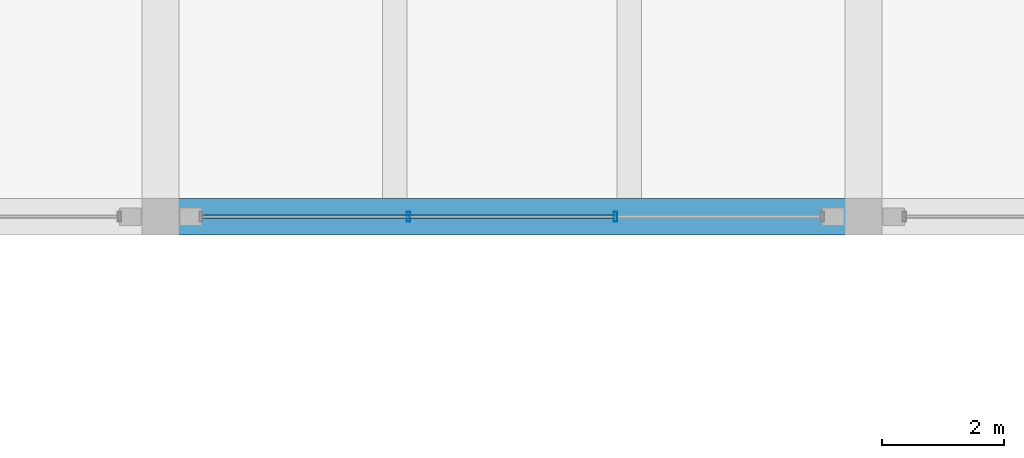
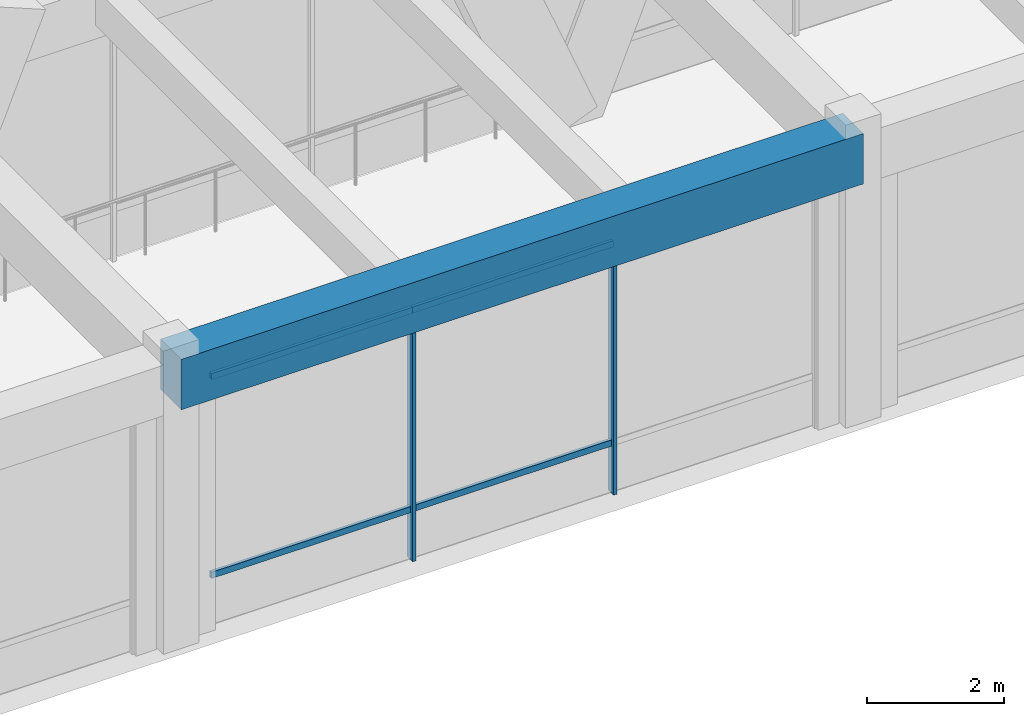
# One storey, part 11 of 148: 6 members, 1 beam, 1 element without a shape of its own.
"""IFC4 building model written with IfcOpenShell, lengths in metres."""

from ifc_helpers import new_model, si_unit, direction, frame, origin, origin_2d, place, context, subcontext, project, spatial, rectangle, hollow_rectangle, extrude, material, material_profile, profile_set, type_object, element, aggregate, save


model = new_model("IFC4")

# Units and contexts
model_context = context("Model", 3, precision=1e-05, world=origin(), true_north=direction((0.0, 1.0)))
body_context = subcontext(model_context, "Body", "Model", "MODEL_VIEW")
ifc_project = project(units=[si_unit("LENGTHUNIT", "METRE"), si_unit("AREAUNIT", "SQUARE_METRE"), si_unit("VOLUMEUNIT", "CUBIC_METRE"), si_unit("PLANEANGLEUNIT", "RADIAN"), si_unit("MASSUNIT", "GRAM", prefix="KILO")], contexts=[model_context])

# Site, building, storey
site_placement = place(None, origin())
site = spatial("IfcSite", under=ifc_project, at=site_placement, CompositionType="ELEMENT")
building_placement = place(site_placement, origin())
building = spatial("IfcBuilding", under=site, at=building_placement, Name="Ologun Quay Terminus", CompositionType="ELEMENT")
storey_placement = place(building_placement, frame((0.0, 0.0, 8.39990234375)))
storey = spatial("IfcBuildingStorey", under=building, at=storey_placement, Name="L02", CompositionType="ELEMENT", Elevation=8.39990234375)

# Curtain wall, members
ifc_material_1 = material(Name="Aluminium 6063-T6", Category="aluminium")
curtain_wall_type = type_object("IfcCurtainWallType", Name="Concourse Departure Curtain Wall 10700x4950", PredefinedType="USERDEFINED", material=ifc_material_1)
curtain_wall_placement = place(storey_placement, origin())
curtain_wall = element("IfcCurtainWall", 1, at=curtain_wall_placement, inside=storey, type_object=curtain_wall_type, Name="CW-05 Curtain Wall CW-L02-021", ObjectType="UNITISED CURTAIN WALL", PredefinedType="USERDEFINED")
ifc_material_2 = material(Name="Aluminium 6063-T6", Category="aluminium")
ifc_material_profile_1 = material_profile(ifc_material_2, hollow_rectangle(XDim=0.06005859375, YDim=0.159912109375, WallThickness=0.00390625, at=origin_2d()), Name="ALU 160x60x4")
ifc_profile_set_1 = profile_set([ifc_material_profile_1], Name="Aluminium 6063-T6")
member_type_1 = type_object("IfcMemberType", Name="Curtain Wall Standard Mullion 160x65", PredefinedType="MULLION", material=ifc_profile_set_1)
member_1_placement = place(storey_placement, frame((27.056640625, 27.199951171875, 0.0), z_axis=(0.0, 0.0, 1.0), x_axis=(1.0, 0.0, 0.0)))
member_1 = element("IfcMember", 2, at=member_1_placement, type_object=member_type_1, Name="CW-L02-021 Mullion 2", PredefinedType="MULLION", context=body_context, shape_type="SweptSolid", body=[
    extrude(hollow_rectangle(XDim=0.06005859375, YDim=0.159912109375, WallThickness=0.00390625, at=origin_2d()), origin(), (0.0, 0.0, 1.0), 5.14013671875),
])
member_2_placement = place(storey_placement, frame((30.443359375, 27.199951171875, 0.0), z_axis=(0.0, 0.0, 1.0), x_axis=(1.0, 0.0, 0.0)))
member_2 = element("IfcMember", 3, at=member_2_placement, type_object=member_type_1, Name="CW-L02-021 Mullion 3", PredefinedType="MULLION", context=body_context, shape_type="SweptSolid", body=[
    extrude(hollow_rectangle(XDim=0.06005859375, YDim=0.159912109375, WallThickness=0.00390625, at=origin_2d()), origin(), (0.0, 0.0, 1.0), 5.14013671875),
])
ifc_material_3 = material(Name="Aluminium 6063-T6", Category="aluminium")
ifc_material_profile_2 = material_profile(ifc_material_3, hollow_rectangle(XDim=0.054931640625, YDim=0.110107421875, WallThickness=0.00390625, at=origin_2d()), Name="ALU 110x55x4")
ifc_profile_set_2 = profile_set([ifc_material_profile_2], Name="Aluminium 6063-T6")
member_type_2 = type_object("IfcMemberType", Name="Curtain Wall Standard Transom 110x55", PredefinedType="USERDEFINED", material=ifc_profile_set_2)
member_3_placement = place(storey_placement, frame((23.669921875, 27.199951171875, 0.900146484375), z_axis=(1.0, 0.0, 0.0), x_axis=(0.0, 1.0, 0.0)))
member_3 = element("IfcMember", 4, at=member_3_placement, type_object=member_type_2, Name="CW-L02-021 Transom B1-1", ObjectType="TRANSOM", PredefinedType="USERDEFINED", context=body_context, shape_type="SweptSolid", body=[
    extrude(hollow_rectangle(XDim=0.054931640625, YDim=0.110107421875, WallThickness=0.00390625, at=origin_2d()), origin(), (0.0, 0.0, 1.0), 3.38671875),
])
member_4_placement = place(storey_placement, frame((23.669921875, 27.199951171875, 4.440185546875), z_axis=(1.0, 0.0, 0.0), x_axis=(0.0, 1.0, 0.0)))
member_4 = element("IfcMember", 5, at=member_4_placement, type_object=member_type_2, Name="CW-L02-021 Transom B1-2", ObjectType="TRANSOM", PredefinedType="USERDEFINED", context=body_context, shape_type="SweptSolid", body=[
    extrude(hollow_rectangle(XDim=0.054931640625, YDim=0.110107421875, WallThickness=0.00390625, at=origin_2d()), origin(), (0.0, 0.0, 1.0), 3.38671875),
])
member_5_placement = place(storey_placement, frame((27.056640625, 27.199951171875, 0.900146484375), z_axis=(1.0, 0.0, 0.0), x_axis=(0.0, 1.0, 0.0)))
member_5 = element("IfcMember", 6, at=member_5_placement, type_object=member_type_2, Name="CW-L02-021 Transom B2-1", ObjectType="TRANSOM", PredefinedType="USERDEFINED", context=body_context, shape_type="SweptSolid", body=[
    extrude(hollow_rectangle(XDim=0.054931640625, YDim=0.110107421875, WallThickness=0.00390625, at=origin_2d()), origin(), (0.0, 0.0, 1.0), 3.38671875),
])
member_6_placement = place(storey_placement, frame((27.056640625, 27.199951171875, 4.440185546875), z_axis=(1.0, 0.0, 0.0), x_axis=(0.0, 1.0, 0.0)))
member_6 = element("IfcMember", 7, at=member_6_placement, type_object=member_type_2, Name="CW-L02-021 Transom B2-2", ObjectType="TRANSOM", PredefinedType="USERDEFINED", context=body_context, shape_type="SweptSolid", body=[
    extrude(hollow_rectangle(XDim=0.054931640625, YDim=0.110107421875, WallThickness=0.00390625, at=origin_2d()), origin(), (0.0, 0.0, 1.0), 3.38671875),
])
aggregate(curtain_wall, [member_1, member_2, member_3, member_4, member_5, member_6])

# Beam
ifc_material_4 = material(Name="Concrete C40/50", Category="concrete")
ifc_material_profile_3 = material_profile(ifc_material_4, rectangle(XDim=0.60009765625, YDim=0.89990234375, at=origin_2d()), Name="RC 600x900")
ifc_profile_set_3 = profile_set([ifc_material_profile_3], Name="Concrete C40/50")
beam_type = type_object("IfcBeamType", Name="Station Frame Girder 600x900", PredefinedType="BEAM", material=ifc_profile_set_3)
beam_placement = place(storey_placement, frame((23.0, 27.199951171875, 4.7001953125), z_axis=(1.0, 0.0, 0.0), x_axis=(0.0, 1.0, 0.0)))
element("IfcBeam", 8, at=beam_placement, inside=storey, type_object=beam_type, Name="B3 Beam 3/D L02", PredefinedType="BEAM", context=body_context, shape_type="SweptSolid", body=[
    extrude(rectangle(XDim=0.60009765625, YDim=0.89990234375, at=origin_2d()), origin(), (0.0, 0.0, 1.0), 11.5),
])

save(model, "model.ifc")
